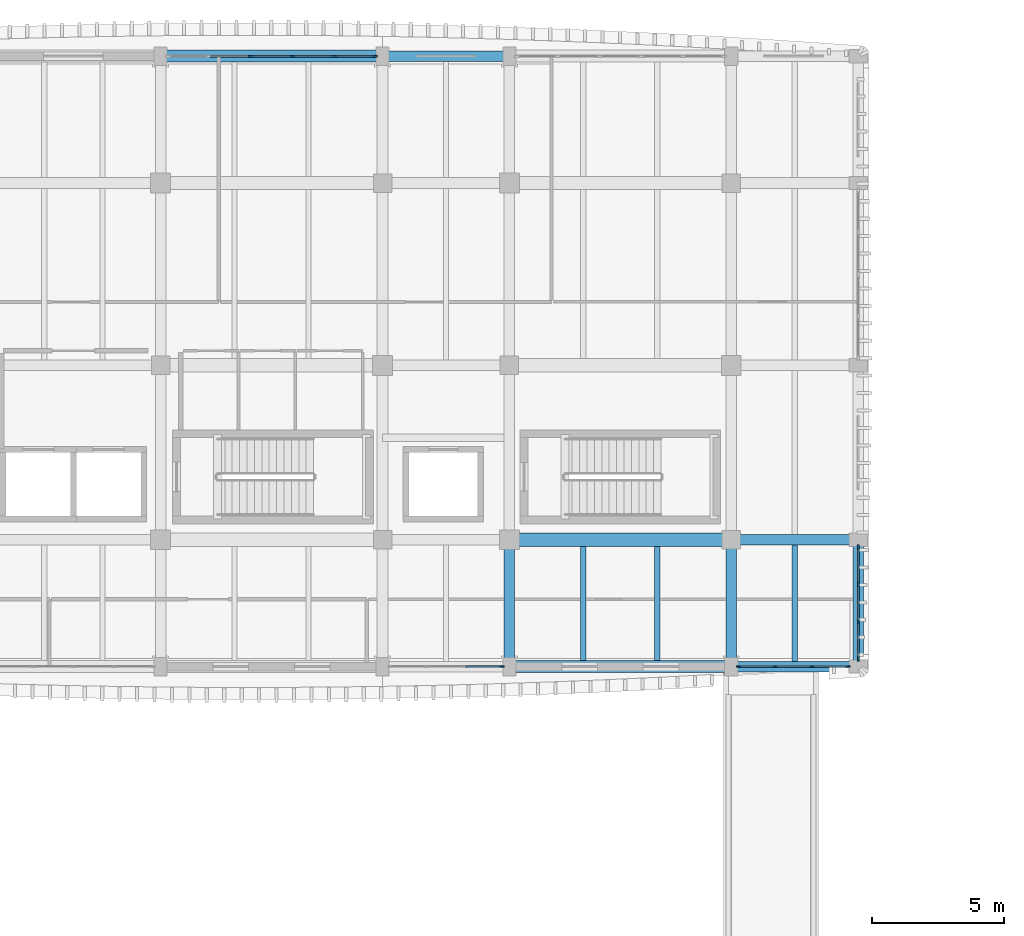
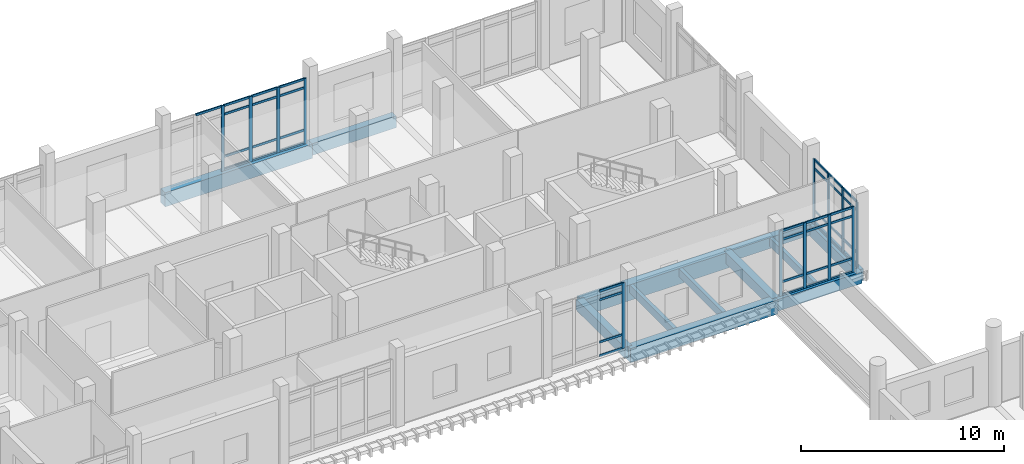
# One storey, part 18 of 76: 54 members, 12 beams, 4 elements without a shape of their own.
"""IFC4 building model written with IfcOpenShell, lengths in metres."""

from ifc_helpers import new_model, si_unit, direction, frame, origin, origin_2d, place, context, subcontext, project, spatial, rectangle, extrude, material, material_profile, profile_set, type_object, element, aggregate, save


model = new_model("IFC4")

# Units and contexts
model_context = context("Model", 3, precision=1e-05, world=origin(), true_north=direction((0.0, 1.0)))
body_context = subcontext(model_context, "Body", "Model", "MODEL_VIEW")
ifc_project = project(units=[si_unit("LENGTHUNIT", "METRE"), si_unit("AREAUNIT", "SQUARE_METRE"), si_unit("VOLUMEUNIT", "CUBIC_METRE"), si_unit("PLANEANGLEUNIT", "RADIAN"), si_unit("MASSUNIT", "GRAM", prefix="KILO")], contexts=[model_context])

# Site, building, storey
site_placement = place(None, origin())
site = spatial("IfcSite", under=ifc_project, at=site_placement, CompositionType="ELEMENT")
building_placement = place(site_placement, origin())
building = spatial("IfcBuilding", under=site, at=building_placement, Name="Dornvale Research Institute", CompositionType="ELEMENT")
storey_placement = place(building_placement, frame((0.0, 0.0, 15.0)))
storey = spatial("IfcBuildingStorey", under=building, at=storey_placement, Name="L03", CompositionType="ELEMENT", Elevation=15.0)

# Beams
ifc_material_1 = material(Name="Concrete f'c 45 MPa (C35/45)", Category="concrete")
ifc_material_profile_1 = material_profile(ifc_material_1, rectangle(XDim=0.39990234375, YDim=0.64990234375, at=origin_2d()), Name="RC 400x650")
ifc_profile_set_1 = profile_set([ifc_material_profile_1], Name="Concrete f'c 45 MPa (C35/45)")
beam_type_1 = type_object("IfcBeamType", Name="Beam_RC400x650_Floor", PredefinedType="BEAM", material=ifc_profile_set_1)
for number, where, z_axis, x_axis, name in (
    (1, (41.39990234375, 103.800048828125, -0.324951171875), (1.0, 0.0, 0.0), (0.0, 1.0, 0.0), "L03 primary girder #862"),
    (2, (33.0, 99.0, -0.324951171875), (0.0, 1.0, 0.0), (-1.0, 0.0, 0.0), "L03 transverse girder #904"),
    (3, (41.39990234375, 99.0, -0.324951171875), (0.0, 1.0, 0.0), (-1.0, 0.0, 0.0), "L03 transverse girder #908"),
):
    element("IfcBeam", number, at=place(storey_placement, frame(where, z_axis=z_axis, x_axis=x_axis)), inside=storey, type_object=beam_type_1, Name=name, PredefinedType="BEAM", context=body_context, shape_type="SweptSolid", body=[
        extrude(rectangle(XDim=0.39990234375, YDim=0.64990234375, at=origin_2d()), origin(), (0.0, 0.0, 1.0), 4.800048828125),
    ])
ifc_material_2 = material(Name="Concrete f'c 45 MPa (C35/45)", Category="concrete")
ifc_material_profile_2 = material_profile(ifc_material_2, rectangle(XDim=0.5, YDim=0.949951171875, at=origin_2d()), Name="RC 500x950")
ifc_profile_set_2 = profile_set([ifc_material_profile_2], Name="Concrete f'c 45 MPa (C35/45)")
beam_type_2 = type_object("IfcBeamType", Name="Beam_RC500x950_Girder", PredefinedType="BEAM", material=ifc_profile_set_2)
beam_1_placement = place(storey_placement, frame((33.0, 103.800048828125, -0.47509765625), z_axis=(1.0, 0.0, 0.0), x_axis=(0.0, 1.0, 0.0)))
element("IfcBeam", 4, at=beam_1_placement, inside=storey, type_object=beam_type_2, Name="L03 primary girder #861", PredefinedType="BEAM", context=body_context, shape_type="SweptSolid", body=[
    extrude(rectangle(XDim=0.5, YDim=0.949951171875, at=origin_2d()), origin(), (0.0, 0.0, 1.0), 8.39990234375),
])
ifc_material_3 = material(Name="Concrete f'c 45 MPa (C35/45)", Category="concrete")
ifc_material_profile_3 = material_profile(ifc_material_3, rectangle(XDim=0.199951171875, YDim=0.485107421875, at=origin_2d()), Name="RC 200x485")
ifc_profile_set_3 = profile_set([ifc_material_profile_3], Name="Concrete f'c 45 MPa (C35/45)")
beam_type_3 = type_object("IfcBeamType", Name="Joist_RC200x485_Rib", PredefinedType="JOIST", material=ifc_profile_set_3)
for number, where, z_axis, x_axis, name in (
    (5, (35.800048828125, 99.22509765625, -0.242431640625), (0.0, 1.0, 0.0), (-1.0, 0.0, 0.0), "L03 laboratory waffle joist #442"),
    (6, (38.60009765625, 99.22509765625, -0.242431640625), (0.0, 1.0, 0.0), (-1.0, 0.0, 0.0), "L03 laboratory waffle joist #443"),
):
    element("IfcBeam", number, at=place(storey_placement, frame(where, z_axis=z_axis, x_axis=x_axis)), inside=storey, type_object=beam_type_3, Name=name, PredefinedType="JOIST", context=body_context, shape_type="SweptSolid", body=[
        extrude(rectangle(XDim=0.199951171875, YDim=0.485107421875, at=origin_2d()), origin(), (0.0, 0.0, 1.0), 4.324951171875),
    ])
beam_2_placement = place(storey_placement, frame((43.800048828125, 99.199951171875, -0.242431640625), z_axis=(0.0, 1.0, 0.0), x_axis=(-1.0, 0.0, 0.0)))
element("IfcBeam", 7, at=beam_2_placement, inside=storey, type_object=beam_type_3, Name="L03 laboratory waffle joist #448", PredefinedType="JOIST", context=body_context, shape_type="SweptSolid", body=[
    extrude(rectangle(XDim=0.199951171875, YDim=0.485107421875, at=origin_2d()), origin(), (0.0, 0.0, 1.0), 4.400146484375),
])

# Curtain wall, members
ifc_material_4 = material(Name="Low-E Argon Double Insulating Glazing Unit", Category="glass")
curtain_wall_type_1 = type_object("IfcCurtainWallType", Name="UnitisedCurtainWall_V5_7900x3950", PredefinedType="USERDEFINED", material=ifc_material_4)
curtain_wall_1_placement = place(storey_placement, origin())
curtain_wall_1 = element("IfcCurtainWall", 8, at=curtain_wall_1_placement, inside=storey, type_object=curtain_wall_type_1, Name="L03 V5 unitised curtain wall CW-24 #149", ObjectType="UNITISED CURTAIN WALL", PredefinedType="USERDEFINED")
ifc_material_5 = material(Name="Anodized Aluminum AA 6063-T6 Thermally Broken Frame", Category="aluminium")
ifc_material_profile_4 = material_profile(ifc_material_5, rectangle(XDim=0.06494140625, YDim=0.179931640625, at=origin_2d()), Name="ALU MULLION 65x180")
ifc_profile_set_4 = profile_set([ifc_material_profile_4], Name="Anodized Aluminum AA 6063-T6 Thermally Broken Frame")
member_type_1 = type_object("IfcMemberType", Name="Mullion_CW_65x180", PredefinedType="MULLION", material=ifc_profile_set_4)
member_1_placement = place(storey_placement, frame((23.2099609375, 122.10009765625, 0.0), z_axis=(0.0, 0.0, 1.0), x_axis=(0.0, 1.0, 0.0)))
member_1 = element("IfcMember", 9, at=member_1_placement, type_object=member_type_1, Name="CW-24 mullion 3", PredefinedType="MULLION", context=body_context, shape_type="SweptSolid", body=[
    extrude(rectangle(XDim=0.06494140625, YDim=0.179931640625, at=origin_2d()), origin(), (0.0, 0.0, 1.0), 3.949951171875),
])
member_2_placement = place(storey_placement, frame((24.7900390625, 122.10009765625, 0.0), z_axis=(0.0, 0.0, 1.0), x_axis=(0.0, 1.0, 0.0)))
member_2 = element("IfcMember", 10, at=member_2_placement, type_object=member_type_1, Name="CW-24 mullion 4", PredefinedType="MULLION", context=body_context, shape_type="SweptSolid", body=[
    extrude(rectangle(XDim=0.06494140625, YDim=0.179931640625, at=origin_2d()), origin(), (0.0, 0.0, 1.0), 3.949951171875),
])
member_3_placement = place(storey_placement, frame((26.3701171875, 122.10009765625, 0.0), z_axis=(0.0, 0.0, 1.0), x_axis=(0.0, 1.0, 0.0)))
member_3 = element("IfcMember", 11, at=member_3_placement, type_object=member_type_1, Name="CW-24 mullion 5", PredefinedType="MULLION", context=body_context, shape_type="SweptSolid", body=[
    extrude(rectangle(XDim=0.06494140625, YDim=0.179931640625, at=origin_2d()), origin(), (0.0, 0.0, 1.0), 3.949951171875),
])
member_4_placement = place(storey_placement, frame((27.91748046875, 122.10009765625, 0.0), z_axis=(0.0, 0.0, 1.0), x_axis=(0.0, 1.0, 0.0)))
member_4 = element("IfcMember", 12, at=member_4_placement, type_object=member_type_1, Name="CW-24 mullion 6", PredefinedType="MULLION", context=body_context, shape_type="SweptSolid", body=[
    extrude(rectangle(XDim=0.06494140625, YDim=0.179931640625, at=origin_2d()), origin(), (0.0, 0.0, 1.0), 3.949951171875),
])

ifc_material_6 = material(Name="Low-E Argon Double Insulating Glazing Unit", Category="glass")
curtain_wall_type_2 = type_object("IfcCurtainWallType", Name="UnitisedCurtainWall_V5_4300x3950", PredefinedType="USERDEFINED", material=ifc_material_6)
curtain_wall_2_placement = place(storey_placement, origin())
curtain_wall_2 = element("IfcCurtainWall", 13, at=curtain_wall_2_placement, inside=storey, type_object=curtain_wall_type_2, Name="L03 V5 unitised curtain wall CW-25 #152", ObjectType="UNITISED CURTAIN WALL", PredefinedType="USERDEFINED")
member_5_placement = place(storey_placement, frame((46.199951171875, 103.517578125, 0.0), z_axis=(0.0, 0.0, 1.0), x_axis=(1.0, 0.0, 0.0)))
member_5 = element("IfcMember", 14, at=member_5_placement, type_object=member_type_1, Name="CW-25 mullion 1", PredefinedType="MULLION", context=body_context, shape_type="SweptSolid", body=[
    extrude(rectangle(XDim=0.06494140625, YDim=0.179931640625, at=origin_2d()), origin(), (0.0, 0.0, 1.0), 3.949951171875),
])
member_6_placement = place(storey_placement, frame((46.199951171875, 102.11669921875, 0.0), z_axis=(0.0, 0.0, 1.0), x_axis=(1.0, 0.0, 0.0)))
member_6 = element("IfcMember", 15, at=member_6_placement, type_object=member_type_1, Name="CW-25 mullion 2", PredefinedType="MULLION", context=body_context, shape_type="SweptSolid", body=[
    extrude(rectangle(XDim=0.06494140625, YDim=0.179931640625, at=origin_2d()), origin(), (0.0, 0.0, 1.0), 3.949951171875),
])
member_7_placement = place(storey_placement, frame((46.199951171875, 100.683349609375, 0.0), z_axis=(0.0, 0.0, 1.0), x_axis=(1.0, 0.0, 0.0)))
member_7 = element("IfcMember", 16, at=member_7_placement, type_object=member_type_1, Name="CW-25 mullion 3", PredefinedType="MULLION", context=body_context, shape_type="SweptSolid", body=[
    extrude(rectangle(XDim=0.06494140625, YDim=0.179931640625, at=origin_2d()), origin(), (0.0, 0.0, 1.0), 3.949951171875),
])
member_8_placement = place(storey_placement, frame((46.199951171875, 99.282470703125, 0.0), z_axis=(0.0, 0.0, 1.0), x_axis=(1.0, 0.0, 0.0)))
member_8 = element("IfcMember", 17, at=member_8_placement, type_object=member_type_1, Name="CW-25 mullion 4", PredefinedType="MULLION", context=body_context, shape_type="SweptSolid", body=[
    extrude(rectangle(XDim=0.06494140625, YDim=0.179931640625, at=origin_2d()), origin(), (0.0, 0.0, 1.0), 3.949951171875),
])

ifc_material_7 = material(Name="Low-E Argon Double Insulating Glazing Unit", Category="glass")
curtain_wall_type_3 = type_object("IfcCurtainWallType", Name="UnitisedCurtainWall_V5_4200x3950", PredefinedType="USERDEFINED", material=ifc_material_7)
curtain_wall_3_placement = place(storey_placement, origin())
curtain_wall_3 = element("IfcCurtainWall", 18, at=curtain_wall_3_placement, inside=storey, type_object=curtain_wall_type_3, Name="L03 V5 unitised curtain wall CW-27 #153", ObjectType="UNITISED CURTAIN WALL", PredefinedType="USERDEFINED")
member_9_placement = place(storey_placement, frame((45.8173828125, 99.0, 0.0), z_axis=(0.0, 0.0, 1.0), x_axis=(0.0, -1.0, 0.0)))
member_9 = element("IfcMember", 19, at=member_9_placement, type_object=member_type_1, Name="CW-27 mullion 1", PredefinedType="MULLION", context=body_context, shape_type="SweptSolid", body=[
    extrude(rectangle(XDim=0.06494140625, YDim=0.179931640625, at=origin_2d()), origin(), (0.0, 0.0, 1.0), 3.949951171875),
])
member_10_placement = place(storey_placement, frame((44.449951171875, 99.0, 0.0), z_axis=(0.0, 0.0, 1.0), x_axis=(0.0, -1.0, 0.0)))
member_10 = element("IfcMember", 20, at=member_10_placement, type_object=member_type_1, Name="CW-27 mullion 2", PredefinedType="MULLION", context=body_context, shape_type="SweptSolid", body=[
    extrude(rectangle(XDim=0.06494140625, YDim=0.179931640625, at=origin_2d()), origin(), (0.0, 0.0, 1.0), 3.949951171875),
])
member_11_placement = place(storey_placement, frame((43.050048828125, 99.0, 0.0), z_axis=(0.0, 0.0, 1.0), x_axis=(0.0, -1.0, 0.0)))
member_11 = element("IfcMember", 21, at=member_11_placement, type_object=member_type_1, Name="CW-27 mullion 3", PredefinedType="MULLION", context=body_context, shape_type="SweptSolid", body=[
    extrude(rectangle(XDim=0.06494140625, YDim=0.179931640625, at=origin_2d()), origin(), (0.0, 0.0, 1.0), 3.949951171875),
])
member_12_placement = place(storey_placement, frame((41.6826171875, 99.0, 0.0), z_axis=(0.0, 0.0, 1.0), x_axis=(0.0, -1.0, 0.0)))
member_12 = element("IfcMember", 22, at=member_12_placement, type_object=member_type_1, Name="CW-27 mullion 4", PredefinedType="MULLION", context=body_context, shape_type="SweptSolid", body=[
    extrude(rectangle(XDim=0.06494140625, YDim=0.179931640625, at=origin_2d()), origin(), (0.0, 0.0, 1.0), 3.949951171875),
])

# Curtain wall, member
curtain_wall_4_placement = place(storey_placement, origin())
curtain_wall_4 = element("IfcCurtainWall", 23, at=curtain_wall_4_placement, inside=storey, type_object=curtain_wall_type_2, Name="L03 V5 unitised curtain wall CW-25 #154", ObjectType="UNITISED CURTAIN WALL", PredefinedType="USERDEFINED")
member_13_placement = place(storey_placement, frame((32.717529296875, 99.0, 0.0), z_axis=(0.0, 0.0, 1.0), x_axis=(0.0, -1.0, 0.0)))
member_13 = element("IfcMember", 24, at=member_13_placement, type_object=member_type_1, Name="CW-25 mullion 1", PredefinedType="MULLION", context=body_context, shape_type="SweptSolid", body=[
    extrude(rectangle(XDim=0.06494140625, YDim=0.179931640625, at=origin_2d()), origin(), (0.0, 0.0, 1.0), 3.949951171875),
])

# Beams
ifc_material_8 = material(Name="Concrete f'c 45 MPa (C35/45)", Category="concrete")
ifc_material_profile_5 = material_profile(ifc_material_8, rectangle(XDim=0.39990234375, YDim=0.699951171875, at=origin_2d()), Name="RC 400x700")
ifc_profile_set_5 = profile_set([ifc_material_profile_5], Name="Concrete f'c 45 MPa (C35/45)")
beam_type_4 = type_object("IfcBeamType", Name="Spandrel_RC400x700_Ext", PredefinedType="SPANDREL", material=ifc_profile_set_5)
for number, where, z_axis, x_axis, name in (
    (25, (41.39990234375, 99.0, -0.35009765625), (1.0, 0.0, 0.0), (0.0, 1.0, 0.0), "L03 perimeter spandrel #855"),
    (26, (28.199951171875, 122.10009765625, -0.35009765625), (1.0, 0.0, 0.0), (0.0, 1.0, 0.0), "L03 perimeter spandrel #881"),
    (27, (46.199951171875, 99.0, -0.35009765625), (0.0, 1.0, 0.0), (-1.0, 0.0, 0.0), "L03 perimeter spandrel #912"),
):
    element("IfcBeam", number, at=place(storey_placement, frame(where, z_axis=z_axis, x_axis=x_axis)), inside=storey, type_object=beam_type_4, Name=name, PredefinedType="SPANDREL", context=body_context, shape_type="SweptSolid", body=[
        extrude(rectangle(XDim=0.39990234375, YDim=0.699951171875, at=origin_2d()), origin(), (0.0, 0.0, 1.0), 4.800048828125),
    ])
ifc_material_9 = material(Name="Concrete f'c 45 MPa (C35/45)", Category="concrete")
ifc_material_profile_6 = material_profile(ifc_material_9, rectangle(XDim=0.449951171875, YDim=0.85009765625, at=origin_2d()), Name="RC 450x850")
ifc_profile_set_6 = profile_set([ifc_material_profile_6], Name="Concrete f'c 45 MPa (C35/45)")
beam_type_5 = type_object("IfcBeamType", Name="Spandrel_RC450x850_Ext", PredefinedType="SPANDREL", material=ifc_profile_set_6)
for number, where, z_axis, x_axis, name in (
    (28, (33.0, 99.0, -0.425048828125), (1.0, 0.0, 0.0), (0.0, 1.0, 0.0), "L03 perimeter spandrel #854"),
    (29, (19.800048828125, 122.10009765625, -0.425048828125), (1.0, 0.0, 0.0), (0.0, 1.0, 0.0), "L03 perimeter spandrel #880"),
):
    element("IfcBeam", number, at=place(storey_placement, frame(where, z_axis=z_axis, x_axis=x_axis)), inside=storey, type_object=beam_type_5, Name=name, PredefinedType="SPANDREL", context=body_context, shape_type="SweptSolid", body=[
        extrude(rectangle(XDim=0.449951171875, YDim=0.85009765625, at=origin_2d()), origin(), (0.0, 0.0, 1.0), 8.39990234375),
    ])

# Member
ifc_material_10 = material(Name="Anodized Aluminum AA 6063-T6 Thermally Broken Frame", Category="aluminium")
ifc_material_profile_7 = material_profile(ifc_material_10, rectangle(XDim=0.06494140625, YDim=0.135009765625, at=origin_2d()), Name="ALU TRANSOM 65x135")
ifc_profile_set_7 = profile_set([ifc_material_profile_7], Name="Anodized Aluminum AA 6063-T6 Thermally Broken Frame")
member_type_2 = type_object("IfcMemberType", Name="Transom_CW_65x135", PredefinedType="USERDEFINED", material=ifc_profile_set_7)
member_14_placement = place(storey_placement, frame((21.66259765625, 122.10009765625, 3.91748046875), z_axis=(1.0, 0.0, 0.0), x_axis=(0.0, 1.0, 0.0)))
member_14 = element("IfcMember", 30, at=member_14_placement, type_object=member_type_2, Name="CW-24 transom 2.4", ObjectType="TRANSOM", PredefinedType="USERDEFINED", context=body_context, shape_type="SweptSolid", body=[
    extrude(rectangle(XDim=0.06494140625, YDim=0.135009765625, at=origin_2d()), origin(), (0.0, 0.0, 1.0), 1.514892578125),
])

member_15_placement = place(storey_placement, frame((23.242431640625, 122.10009765625, 0.032470703125), z_axis=(1.0, 0.0, 0.0), x_axis=(0.0, 1.0, 0.0)))
member_15 = element("IfcMember", 31, at=member_15_placement, type_object=member_type_2, Name="CW-24 transom 3.1", ObjectType="TRANSOM", PredefinedType="USERDEFINED", context=body_context, shape_type="SweptSolid", body=[
    extrude(rectangle(XDim=0.06494140625, YDim=0.135009765625, at=origin_2d()), origin(), (0.0, 0.0, 1.0), 1.51513671875),
])

member_16_placement = place(storey_placement, frame((23.242431640625, 122.10009765625, 0.85009765625), z_axis=(1.0, 0.0, 0.0), x_axis=(0.0, 1.0, 0.0)))
member_16 = element("IfcMember", 32, at=member_16_placement, type_object=member_type_2, Name="CW-24 transom 3.2", ObjectType="TRANSOM", PredefinedType="USERDEFINED", context=body_context, shape_type="SweptSolid", body=[
    extrude(rectangle(XDim=0.06494140625, YDim=0.135009765625, at=origin_2d()), origin(), (0.0, 0.0, 1.0), 1.51513671875),
])

member_17_placement = place(storey_placement, frame((23.242431640625, 122.10009765625, 3.39990234375), z_axis=(1.0, 0.0, 0.0), x_axis=(0.0, 1.0, 0.0)))
member_17 = element("IfcMember", 33, at=member_17_placement, type_object=member_type_2, Name="CW-24 transom 3.3", ObjectType="TRANSOM", PredefinedType="USERDEFINED", context=body_context, shape_type="SweptSolid", body=[
    extrude(rectangle(XDim=0.06494140625, YDim=0.135009765625, at=origin_2d()), origin(), (0.0, 0.0, 1.0), 1.51513671875),
])

member_18_placement = place(storey_placement, frame((23.242431640625, 122.10009765625, 3.91748046875), z_axis=(1.0, 0.0, 0.0), x_axis=(0.0, 1.0, 0.0)))
member_18 = element("IfcMember", 34, at=member_18_placement, type_object=member_type_2, Name="CW-24 transom 3.4", ObjectType="TRANSOM", PredefinedType="USERDEFINED", context=body_context, shape_type="SweptSolid", body=[
    extrude(rectangle(XDim=0.06494140625, YDim=0.135009765625, at=origin_2d()), origin(), (0.0, 0.0, 1.0), 1.51513671875),
])

member_19_placement = place(storey_placement, frame((24.822509765625, 122.10009765625, 0.032470703125), z_axis=(1.0, 0.0, 0.0), x_axis=(0.0, 1.0, 0.0)))
member_19 = element("IfcMember", 35, at=member_19_placement, type_object=member_type_2, Name="CW-24 transom 4.1", ObjectType="TRANSOM", PredefinedType="USERDEFINED", context=body_context, shape_type="SweptSolid", body=[
    extrude(rectangle(XDim=0.06494140625, YDim=0.135009765625, at=origin_2d()), origin(), (0.0, 0.0, 1.0), 1.514892578125),
])

member_20_placement = place(storey_placement, frame((24.822509765625, 122.10009765625, 0.85009765625), z_axis=(1.0, 0.0, 0.0), x_axis=(0.0, 1.0, 0.0)))
member_20 = element("IfcMember", 36, at=member_20_placement, type_object=member_type_2, Name="CW-24 transom 4.2", ObjectType="TRANSOM", PredefinedType="USERDEFINED", context=body_context, shape_type="SweptSolid", body=[
    extrude(rectangle(XDim=0.06494140625, YDim=0.135009765625, at=origin_2d()), origin(), (0.0, 0.0, 1.0), 1.514892578125),
])

member_21_placement = place(storey_placement, frame((24.822509765625, 122.10009765625, 3.39990234375), z_axis=(1.0, 0.0, 0.0), x_axis=(0.0, 1.0, 0.0)))
member_21 = element("IfcMember", 37, at=member_21_placement, type_object=member_type_2, Name="CW-24 transom 4.3", ObjectType="TRANSOM", PredefinedType="USERDEFINED", context=body_context, shape_type="SweptSolid", body=[
    extrude(rectangle(XDim=0.06494140625, YDim=0.135009765625, at=origin_2d()), origin(), (0.0, 0.0, 1.0), 1.514892578125),
])

member_22_placement = place(storey_placement, frame((24.822509765625, 122.10009765625, 3.91748046875), z_axis=(1.0, 0.0, 0.0), x_axis=(0.0, 1.0, 0.0)))
member_22 = element("IfcMember", 38, at=member_22_placement, type_object=member_type_2, Name="CW-24 transom 4.4", ObjectType="TRANSOM", PredefinedType="USERDEFINED", context=body_context, shape_type="SweptSolid", body=[
    extrude(rectangle(XDim=0.06494140625, YDim=0.135009765625, at=origin_2d()), origin(), (0.0, 0.0, 1.0), 1.514892578125),
])

member_23_placement = place(storey_placement, frame((26.402587890625, 122.10009765625, 0.032470703125), z_axis=(1.0, 0.0, 0.0), x_axis=(0.0, 1.0, 0.0)))
member_23 = element("IfcMember", 39, at=member_23_placement, type_object=member_type_2, Name="CW-24 transom 5.1", ObjectType="TRANSOM", PredefinedType="USERDEFINED", context=body_context, shape_type="SweptSolid", body=[
    extrude(rectangle(XDim=0.06494140625, YDim=0.135009765625, at=origin_2d()), origin(), (0.0, 0.0, 1.0), 1.482421875),
])

member_24_placement = place(storey_placement, frame((26.402587890625, 122.10009765625, 0.85009765625), z_axis=(1.0, 0.0, 0.0), x_axis=(0.0, 1.0, 0.0)))
member_24 = element("IfcMember", 40, at=member_24_placement, type_object=member_type_2, Name="CW-24 transom 5.2", ObjectType="TRANSOM", PredefinedType="USERDEFINED", context=body_context, shape_type="SweptSolid", body=[
    extrude(rectangle(XDim=0.06494140625, YDim=0.135009765625, at=origin_2d()), origin(), (0.0, 0.0, 1.0), 1.482421875),
])

member_25_placement = place(storey_placement, frame((26.402587890625, 122.10009765625, 3.39990234375), z_axis=(1.0, 0.0, 0.0), x_axis=(0.0, 1.0, 0.0)))
member_25 = element("IfcMember", 41, at=member_25_placement, type_object=member_type_2, Name="CW-24 transom 5.3", ObjectType="TRANSOM", PredefinedType="USERDEFINED", context=body_context, shape_type="SweptSolid", body=[
    extrude(rectangle(XDim=0.06494140625, YDim=0.135009765625, at=origin_2d()), origin(), (0.0, 0.0, 1.0), 1.482421875),
])

member_26_placement = place(storey_placement, frame((26.402587890625, 122.10009765625, 3.91748046875), z_axis=(1.0, 0.0, 0.0), x_axis=(0.0, 1.0, 0.0)))
member_26 = element("IfcMember", 42, at=member_26_placement, type_object=member_type_2, Name="CW-24 transom 5.4", ObjectType="TRANSOM", PredefinedType="USERDEFINED", context=body_context, shape_type="SweptSolid", body=[
    extrude(rectangle(XDim=0.06494140625, YDim=0.135009765625, at=origin_2d()), origin(), (0.0, 0.0, 1.0), 1.482421875),
])

aggregate(curtain_wall_1, [member_1, member_2, member_3, member_4, member_14, member_15, member_16, member_17, member_18, member_19, member_20, member_21, member_22, member_23, member_24, member_25, member_26])

member_27_placement = place(storey_placement, frame((46.199951171875, 103.485107421875, 0.032470703125), z_axis=(0.0, -1.0, 0.0), x_axis=(1.0, 0.0, 0.0)))
member_27 = element("IfcMember", 43, at=member_27_placement, type_object=member_type_2, Name="CW-25 transom 1.1", ObjectType="TRANSOM", PredefinedType="USERDEFINED", context=body_context, shape_type="SweptSolid", body=[
    extrude(rectangle(XDim=0.06494140625, YDim=0.135009765625, at=origin_2d()), origin(), (0.0, 0.0, 1.0), 1.3359375),
])

member_28_placement = place(storey_placement, frame((46.199951171875, 103.485107421875, 0.85009765625), z_axis=(0.0, -1.0, 0.0), x_axis=(1.0, 0.0, 0.0)))
member_28 = element("IfcMember", 44, at=member_28_placement, type_object=member_type_2, Name="CW-25 transom 1.2", ObjectType="TRANSOM", PredefinedType="USERDEFINED", context=body_context, shape_type="SweptSolid", body=[
    extrude(rectangle(XDim=0.06494140625, YDim=0.135009765625, at=origin_2d()), origin(), (0.0, 0.0, 1.0), 1.3359375),
])

member_29_placement = place(storey_placement, frame((46.199951171875, 103.485107421875, 3.39990234375), z_axis=(0.0, -1.0, 0.0), x_axis=(1.0, 0.0, 0.0)))
member_29 = element("IfcMember", 45, at=member_29_placement, type_object=member_type_2, Name="CW-25 transom 1.3", ObjectType="TRANSOM", PredefinedType="USERDEFINED", context=body_context, shape_type="SweptSolid", body=[
    extrude(rectangle(XDim=0.06494140625, YDim=0.135009765625, at=origin_2d()), origin(), (0.0, 0.0, 1.0), 1.3359375),
])

member_30_placement = place(storey_placement, frame((46.199951171875, 103.485107421875, 3.91748046875), z_axis=(0.0, -1.0, 0.0), x_axis=(1.0, 0.0, 0.0)))
member_30 = element("IfcMember", 46, at=member_30_placement, type_object=member_type_2, Name="CW-25 transom 1.4", ObjectType="TRANSOM", PredefinedType="USERDEFINED", context=body_context, shape_type="SweptSolid", body=[
    extrude(rectangle(XDim=0.06494140625, YDim=0.135009765625, at=origin_2d()), origin(), (0.0, 0.0, 1.0), 1.3359375),
])

member_31_placement = place(storey_placement, frame((46.199951171875, 102.084228515625, 0.032470703125), z_axis=(0.0, -1.0, 0.0), x_axis=(1.0, 0.0, 0.0)))
member_31 = element("IfcMember", 47, at=member_31_placement, type_object=member_type_2, Name="CW-25 transom 2.1", ObjectType="TRANSOM", PredefinedType="USERDEFINED", context=body_context, shape_type="SweptSolid", body=[
    extrude(rectangle(XDim=0.06494140625, YDim=0.135009765625, at=origin_2d()), origin(), (0.0, 0.0, 1.0), 1.368408203125),
])

member_32_placement = place(storey_placement, frame((46.199951171875, 102.084228515625, 0.85009765625), z_axis=(0.0, -1.0, 0.0), x_axis=(1.0, 0.0, 0.0)))
member_32 = element("IfcMember", 48, at=member_32_placement, type_object=member_type_2, Name="CW-25 transom 2.2", ObjectType="TRANSOM", PredefinedType="USERDEFINED", context=body_context, shape_type="SweptSolid", body=[
    extrude(rectangle(XDim=0.06494140625, YDim=0.135009765625, at=origin_2d()), origin(), (0.0, 0.0, 1.0), 1.368408203125),
])

member_33_placement = place(storey_placement, frame((46.199951171875, 102.084228515625, 3.39990234375), z_axis=(0.0, -1.0, 0.0), x_axis=(1.0, 0.0, 0.0)))
member_33 = element("IfcMember", 49, at=member_33_placement, type_object=member_type_2, Name="CW-25 transom 2.3", ObjectType="TRANSOM", PredefinedType="USERDEFINED", context=body_context, shape_type="SweptSolid", body=[
    extrude(rectangle(XDim=0.06494140625, YDim=0.135009765625, at=origin_2d()), origin(), (0.0, 0.0, 1.0), 1.368408203125),
])

member_34_placement = place(storey_placement, frame((46.199951171875, 102.084228515625, 3.91748046875), z_axis=(0.0, -1.0, 0.0), x_axis=(1.0, 0.0, 0.0)))
member_34 = element("IfcMember", 50, at=member_34_placement, type_object=member_type_2, Name="CW-25 transom 2.4", ObjectType="TRANSOM", PredefinedType="USERDEFINED", context=body_context, shape_type="SweptSolid", body=[
    extrude(rectangle(XDim=0.06494140625, YDim=0.135009765625, at=origin_2d()), origin(), (0.0, 0.0, 1.0), 1.368408203125),
])

member_35_placement = place(storey_placement, frame((46.199951171875, 100.65087890625, 0.032470703125), z_axis=(0.0, -1.0, 0.0), x_axis=(1.0, 0.0, 0.0)))
member_35 = element("IfcMember", 51, at=member_35_placement, type_object=member_type_2, Name="CW-25 transom 3.1", ObjectType="TRANSOM", PredefinedType="USERDEFINED", context=body_context, shape_type="SweptSolid", body=[
    extrude(rectangle(XDim=0.06494140625, YDim=0.135009765625, at=origin_2d()), origin(), (0.0, 0.0, 1.0), 1.3359375),
])

member_36_placement = place(storey_placement, frame((46.199951171875, 100.65087890625, 0.85009765625), z_axis=(0.0, -1.0, 0.0), x_axis=(1.0, 0.0, 0.0)))
member_36 = element("IfcMember", 52, at=member_36_placement, type_object=member_type_2, Name="CW-25 transom 3.2", ObjectType="TRANSOM", PredefinedType="USERDEFINED", context=body_context, shape_type="SweptSolid", body=[
    extrude(rectangle(XDim=0.06494140625, YDim=0.135009765625, at=origin_2d()), origin(), (0.0, 0.0, 1.0), 1.3359375),
])

member_37_placement = place(storey_placement, frame((46.199951171875, 100.65087890625, 3.39990234375), z_axis=(0.0, -1.0, 0.0), x_axis=(1.0, 0.0, 0.0)))
member_37 = element("IfcMember", 53, at=member_37_placement, type_object=member_type_2, Name="CW-25 transom 3.3", ObjectType="TRANSOM", PredefinedType="USERDEFINED", context=body_context, shape_type="SweptSolid", body=[
    extrude(rectangle(XDim=0.06494140625, YDim=0.135009765625, at=origin_2d()), origin(), (0.0, 0.0, 1.0), 1.3359375),
])

member_38_placement = place(storey_placement, frame((46.199951171875, 100.65087890625, 3.91748046875), z_axis=(0.0, -1.0, 0.0), x_axis=(1.0, 0.0, 0.0)))
member_38 = element("IfcMember", 54, at=member_38_placement, type_object=member_type_2, Name="CW-25 transom 3.4", ObjectType="TRANSOM", PredefinedType="USERDEFINED", context=body_context, shape_type="SweptSolid", body=[
    extrude(rectangle(XDim=0.06494140625, YDim=0.135009765625, at=origin_2d()), origin(), (0.0, 0.0, 1.0), 1.3359375),
])

aggregate(curtain_wall_2, [member_5, member_6, member_7, member_8, member_27, member_28, member_29, member_30, member_31, member_32, member_33, member_34, member_35, member_36, member_37, member_38])

member_39_placement = place(storey_placement, frame((45.784912109375, 99.0, 0.032470703125), z_axis=(-1.0, 0.0, 0.0), x_axis=(0.0, -1.0, 0.0)))
member_39 = element("IfcMember", 55, at=member_39_placement, type_object=member_type_2, Name="CW-27 transom 1.1", ObjectType="TRANSOM", PredefinedType="USERDEFINED", context=body_context, shape_type="SweptSolid", body=[
    extrude(rectangle(XDim=0.06494140625, YDim=0.135009765625, at=origin_2d()), origin(), (0.0, 0.0, 1.0), 1.302490234375),
])

member_40_placement = place(storey_placement, frame((45.784912109375, 99.0, 0.85009765625), z_axis=(-1.0, 0.0, 0.0), x_axis=(0.0, -1.0, 0.0)))
member_40 = element("IfcMember", 56, at=member_40_placement, type_object=member_type_2, Name="CW-27 transom 1.2", ObjectType="TRANSOM", PredefinedType="USERDEFINED", context=body_context, shape_type="SweptSolid", body=[
    extrude(rectangle(XDim=0.06494140625, YDim=0.135009765625, at=origin_2d()), origin(), (0.0, 0.0, 1.0), 1.302490234375),
])

member_41_placement = place(storey_placement, frame((45.784912109375, 99.0, 3.39990234375), z_axis=(-1.0, 0.0, 0.0), x_axis=(0.0, -1.0, 0.0)))
member_41 = element("IfcMember", 57, at=member_41_placement, type_object=member_type_2, Name="CW-27 transom 1.3", ObjectType="TRANSOM", PredefinedType="USERDEFINED", context=body_context, shape_type="SweptSolid", body=[
    extrude(rectangle(XDim=0.06494140625, YDim=0.135009765625, at=origin_2d()), origin(), (0.0, 0.0, 1.0), 1.302490234375),
])

member_42_placement = place(storey_placement, frame((45.784912109375, 99.0, 3.91748046875), z_axis=(-1.0, 0.0, 0.0), x_axis=(0.0, -1.0, 0.0)))
member_42 = element("IfcMember", 58, at=member_42_placement, type_object=member_type_2, Name="CW-27 transom 1.4", ObjectType="TRANSOM", PredefinedType="USERDEFINED", context=body_context, shape_type="SweptSolid", body=[
    extrude(rectangle(XDim=0.06494140625, YDim=0.135009765625, at=origin_2d()), origin(), (0.0, 0.0, 1.0), 1.302490234375),
])

member_43_placement = place(storey_placement, frame((44.41748046875, 99.0, 0.032470703125), z_axis=(-1.0, 0.0, 0.0), x_axis=(0.0, -1.0, 0.0)))
member_43 = element("IfcMember", 59, at=member_43_placement, type_object=member_type_2, Name="CW-27 transom 2.1", ObjectType="TRANSOM", PredefinedType="USERDEFINED", context=body_context, shape_type="SweptSolid", body=[
    extrude(rectangle(XDim=0.06494140625, YDim=0.135009765625, at=origin_2d()), origin(), (0.0, 0.0, 1.0), 1.3349609375),
])

member_44_placement = place(storey_placement, frame((44.41748046875, 99.0, 0.85009765625), z_axis=(-1.0, 0.0, 0.0), x_axis=(0.0, -1.0, 0.0)))
member_44 = element("IfcMember", 60, at=member_44_placement, type_object=member_type_2, Name="CW-27 transom 2.2", ObjectType="TRANSOM", PredefinedType="USERDEFINED", context=body_context, shape_type="SweptSolid", body=[
    extrude(rectangle(XDim=0.06494140625, YDim=0.135009765625, at=origin_2d()), origin(), (0.0, 0.0, 1.0), 1.3349609375),
])

member_45_placement = place(storey_placement, frame((44.41748046875, 99.0, 3.39990234375), z_axis=(-1.0, 0.0, 0.0), x_axis=(0.0, -1.0, 0.0)))
member_45 = element("IfcMember", 61, at=member_45_placement, type_object=member_type_2, Name="CW-27 transom 2.3", ObjectType="TRANSOM", PredefinedType="USERDEFINED", context=body_context, shape_type="SweptSolid", body=[
    extrude(rectangle(XDim=0.06494140625, YDim=0.135009765625, at=origin_2d()), origin(), (0.0, 0.0, 1.0), 1.3349609375),
])

member_46_placement = place(storey_placement, frame((44.41748046875, 99.0, 3.91748046875), z_axis=(-1.0, 0.0, 0.0), x_axis=(0.0, -1.0, 0.0)))
member_46 = element("IfcMember", 62, at=member_46_placement, type_object=member_type_2, Name="CW-27 transom 2.4", ObjectType="TRANSOM", PredefinedType="USERDEFINED", context=body_context, shape_type="SweptSolid", body=[
    extrude(rectangle(XDim=0.06494140625, YDim=0.135009765625, at=origin_2d()), origin(), (0.0, 0.0, 1.0), 1.3349609375),
])

member_47_placement = place(storey_placement, frame((43.017578125, 99.0, 0.032470703125), z_axis=(-1.0, 0.0, 0.0), x_axis=(0.0, -1.0, 0.0)))
member_47 = element("IfcMember", 63, at=member_47_placement, type_object=member_type_2, Name="CW-27 transom 3.1", ObjectType="TRANSOM", PredefinedType="USERDEFINED", context=body_context, shape_type="SweptSolid", body=[
    extrude(rectangle(XDim=0.06494140625, YDim=0.135009765625, at=origin_2d()), origin(), (0.0, 0.0, 1.0), 1.302490234375),
])

member_48_placement = place(storey_placement, frame((43.017578125, 99.0, 0.85009765625), z_axis=(-1.0, 0.0, 0.0), x_axis=(0.0, -1.0, 0.0)))
member_48 = element("IfcMember", 64, at=member_48_placement, type_object=member_type_2, Name="CW-27 transom 3.2", ObjectType="TRANSOM", PredefinedType="USERDEFINED", context=body_context, shape_type="SweptSolid", body=[
    extrude(rectangle(XDim=0.06494140625, YDim=0.135009765625, at=origin_2d()), origin(), (0.0, 0.0, 1.0), 1.302490234375),
])

member_49_placement = place(storey_placement, frame((43.017578125, 99.0, 3.39990234375), z_axis=(-1.0, 0.0, 0.0), x_axis=(0.0, -1.0, 0.0)))
member_49 = element("IfcMember", 65, at=member_49_placement, type_object=member_type_2, Name="CW-27 transom 3.3", ObjectType="TRANSOM", PredefinedType="USERDEFINED", context=body_context, shape_type="SweptSolid", body=[
    extrude(rectangle(XDim=0.06494140625, YDim=0.135009765625, at=origin_2d()), origin(), (0.0, 0.0, 1.0), 1.302490234375),
])

member_50_placement = place(storey_placement, frame((43.017578125, 99.0, 3.91748046875), z_axis=(-1.0, 0.0, 0.0), x_axis=(0.0, -1.0, 0.0)))
member_50 = element("IfcMember", 66, at=member_50_placement, type_object=member_type_2, Name="CW-27 transom 3.4", ObjectType="TRANSOM", PredefinedType="USERDEFINED", context=body_context, shape_type="SweptSolid", body=[
    extrude(rectangle(XDim=0.06494140625, YDim=0.135009765625, at=origin_2d()), origin(), (0.0, 0.0, 1.0), 1.302490234375),
])

aggregate(curtain_wall_3, [member_9, member_10, member_11, member_12, member_39, member_40, member_41, member_42, member_43, member_44, member_45, member_46, member_47, member_48, member_49, member_50])

member_51_placement = place(storey_placement, frame((32.68505859375, 99.0, 0.032470703125), z_axis=(-1.0, 0.0, 0.0), x_axis=(0.0, -1.0, 0.0)))
member_51 = element("IfcMember", 67, at=member_51_placement, type_object=member_type_2, Name="CW-25 transom 1.1", ObjectType="TRANSOM", PredefinedType="USERDEFINED", context=body_context, shape_type="SweptSolid", body=[
    extrude(rectangle(XDim=0.06494140625, YDim=0.135009765625, at=origin_2d()), origin(), (0.0, 0.0, 1.0), 1.3359375),
])

member_52_placement = place(storey_placement, frame((32.68505859375, 99.0, 0.85009765625), z_axis=(-1.0, 0.0, 0.0), x_axis=(0.0, -1.0, 0.0)))
member_52 = element("IfcMember", 68, at=member_52_placement, type_object=member_type_2, Name="CW-25 transom 1.2", ObjectType="TRANSOM", PredefinedType="USERDEFINED", context=body_context, shape_type="SweptSolid", body=[
    extrude(rectangle(XDim=0.06494140625, YDim=0.135009765625, at=origin_2d()), origin(), (0.0, 0.0, 1.0), 1.3359375),
])

member_53_placement = place(storey_placement, frame((32.68505859375, 99.0, 3.39990234375), z_axis=(-1.0, 0.0, 0.0), x_axis=(0.0, -1.0, 0.0)))
member_53 = element("IfcMember", 69, at=member_53_placement, type_object=member_type_2, Name="CW-25 transom 1.3", ObjectType="TRANSOM", PredefinedType="USERDEFINED", context=body_context, shape_type="SweptSolid", body=[
    extrude(rectangle(XDim=0.06494140625, YDim=0.135009765625, at=origin_2d()), origin(), (0.0, 0.0, 1.0), 1.3359375),
])

member_54_placement = place(storey_placement, frame((32.68505859375, 99.0, 3.91748046875), z_axis=(-1.0, 0.0, 0.0), x_axis=(0.0, -1.0, 0.0)))
member_54 = element("IfcMember", 70, at=member_54_placement, type_object=member_type_2, Name="CW-25 transom 1.4", ObjectType="TRANSOM", PredefinedType="USERDEFINED", context=body_context, shape_type="SweptSolid", body=[
    extrude(rectangle(XDim=0.06494140625, YDim=0.135009765625, at=origin_2d()), origin(), (0.0, 0.0, 1.0), 1.3359375),
])

aggregate(curtain_wall_4, [member_13, member_51, member_52, member_53, member_54])

save(model, "model.ifc")
